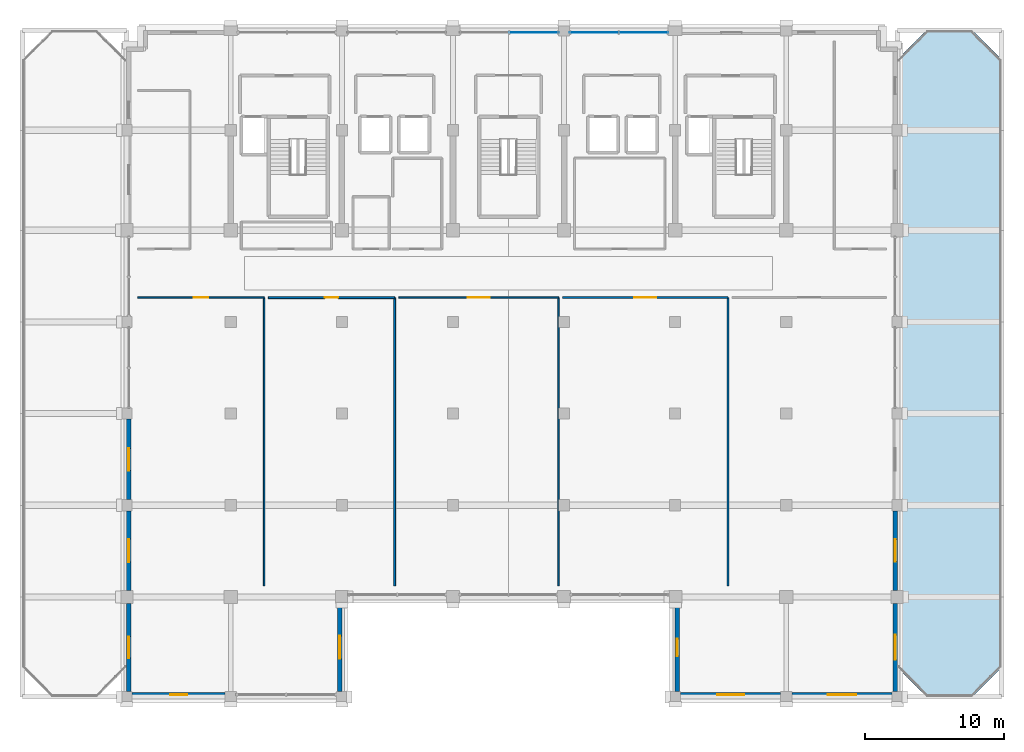
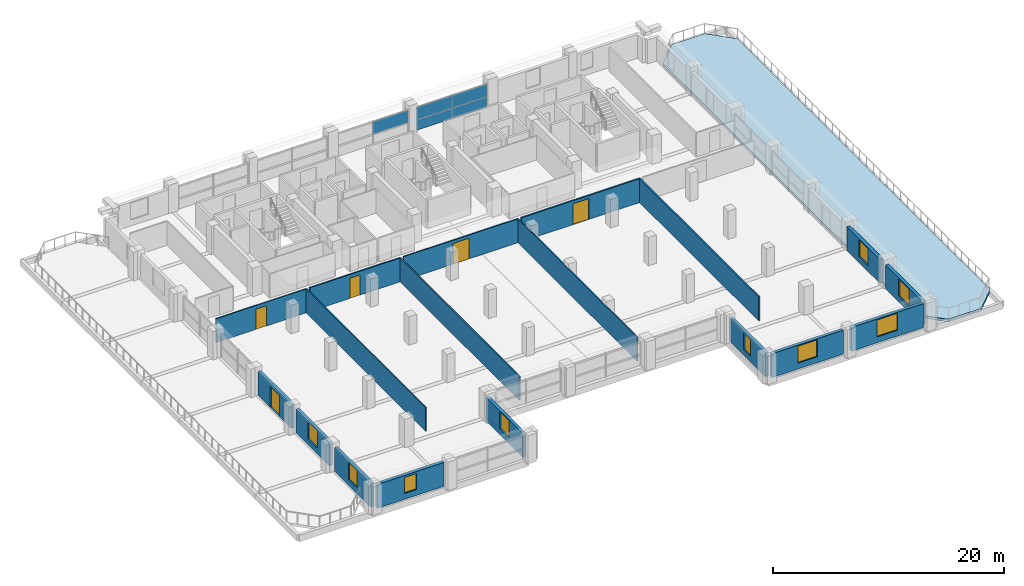
# One storey, part 17 of 22: 18 walls, 9 windows, 5 doors, 4 plates, 1 slab, 14 openings, 2 elements without a shape of their own.
"""IFC4 building model written with IfcOpenShell, lengths in metres."""

from ifc_helpers import new_model, si_unit, direction, frame, frame_2d, origin, origin_2d, place, context, subcontext, project, spatial, polyline, rectangle, outline, extrude, material, layer, layer_set, type_object, element, fill, aggregate, save


model = new_model("IFC4")

# Units and contexts
model_context = context("Model", 3, precision=1e-05, world=origin(), true_north=direction((0.0, 1.0)))
body_context = subcontext(model_context, "Body", "Model", "MODEL_VIEW")
ifc_project = project(units=[si_unit("LENGTHUNIT", "METRE"), si_unit("AREAUNIT", "SQUARE_METRE"), si_unit("VOLUMEUNIT", "CUBIC_METRE"), si_unit("PLANEANGLEUNIT", "RADIAN"), si_unit("MASSUNIT", "GRAM", prefix="KILO")], contexts=[model_context])

# Site, building, storey
site_placement = place(None, origin())
site = spatial("IfcSite", under=ifc_project, at=site_placement, CompositionType="ELEMENT")
building_placement = place(site_placement, origin())
building = spatial("IfcBuilding", under=site, at=building_placement, Name="Akrevak Sports Hall", CompositionType="ELEMENT")
storey_placement = place(building_placement, frame((0.0, 0.0, 40.550048828125)))
storey = spatial("IfcBuildingStorey", under=building, at=storey_placement, Name="L09", CompositionType="ELEMENT", Elevation=40.550048828125)

# Curtain wall, plates
ifc_material_1 = material(Name="Anodized Bronze Aluminium & Low-E Glass", Category="aluminium")
curtain_wall_type = type_object("IfcCurtainWallType", Name="ARC-CW-TWR-68x30", PredefinedType="NOTDEFINED", material=ifc_material_1)
curtain_wall_1_placement = place(storey_placement, origin())
curtain_wall_1 = element("IfcCurtainWall", 1, at=curtain_wall_1_placement, inside=storey, type_object=curtain_wall_type, Name="Curtain Wall CW-L09-N21", PredefinedType="NOTDEFINED")
ifc_material_2 = material(Name="Double Low-E Tempered Glass", Category="glass")
ifc_layer_1 = layer(ifc_material_2, 0.031982421875, Name="Double Low-E Tempered Glass")
ifc_layer_set_1 = layer_set([ifc_layer_1], Name="Double Low-E Tempered Glass")
plate_type_1 = type_object("IfcPlateType", Name="ARC-CWP-GLZ-32", PredefinedType="CURTAIN_PANEL", material=ifc_layer_set_1)
plate_1_placement = place(storey_placement, frame((89.72509765625, 69.43994140625, 1.099853515625), z_axis=(0.0, 0.0, 1.0), x_axis=(-1.0, 0.0, 0.0)))
plate_1 = element("IfcPlate", 2, at=plate_1_placement, type_object=plate_type_1, Name="Vision Glass Panel CW-L09-N21-G1", PredefinedType="CURTAIN_PANEL", context=body_context, shape_type="SweptSolid", body=[
    extrude(rectangle(XDim=3.550048828125, YDim=0.035888671875, at=origin_2d()), origin(), (0.0, 0.0, 1.0), 1.35009765625),
])
plate_2_placement = place(storey_placement, frame((86.175048828125, 69.43994140625, 1.099853515625), z_axis=(0.0, 0.0, 1.0), x_axis=(-1.0, 0.0, 0.0)))
plate_2 = element("IfcPlate", 3, at=plate_2_placement, type_object=plate_type_1, Name="Vision Glass Panel CW-L09-N21-G2", PredefinedType="CURTAIN_PANEL", context=body_context, shape_type="SweptSolid", body=[
    extrude(rectangle(XDim=3.550048828125, YDim=0.035888671875, at=origin_2d()), origin(), (0.0, 0.0, 1.0), 1.35009765625),
])

# Curtain wall, plate
curtain_wall_2_placement = place(storey_placement, origin())
curtain_wall_2 = element("IfcCurtainWall", 4, at=curtain_wall_2_placement, inside=storey, type_object=curtain_wall_type, Name="Curtain Wall CW-L09-N22", PredefinedType="NOTDEFINED")
plate_3_placement = place(storey_placement, frame((81.824951171875, 69.43994140625, 1.099853515625), z_axis=(0.0, 0.0, 1.0), x_axis=(-1.0, 0.0, 0.0)))
plate_3 = element("IfcPlate", 5, at=plate_3_placement, type_object=plate_type_1, Name="Vision Glass Panel CW-L09-N22-G1", PredefinedType="CURTAIN_PANEL", context=body_context, shape_type="SweptSolid", body=[
    extrude(rectangle(XDim=3.550048828125, YDim=0.035888671875, at=origin_2d()), origin(), (0.0, 0.0, 1.0), 1.35009765625),
])
aggregate(curtain_wall_2, [plate_3])

# Plate
ifc_material_3 = material(Name="Insulated Bronze Spandrel Panel", Category="aluminium")
ifc_layer_2 = layer(ifc_material_3, 0.0400390625, Name="Insulated Bronze Spandrel Panel")
ifc_layer_set_2 = layer_set([ifc_layer_2], Name="Insulated Bronze Spandrel Panel")
plate_type_2 = type_object("IfcPlateType", Name="ARC-CWP-SPD-40", PredefinedType="CURTAIN_PANEL", material=ifc_layer_set_2)
plate_4_placement = place(storey_placement, frame((87.949951171875, 69.43994140625, 0.0), z_axis=(0.0, 0.0, 1.0), x_axis=(-1.0, 0.0, 0.0)))
plate_4 = element("IfcPlate", 6, at=plate_4_placement, type_object=plate_type_2, Name="Insulated Spandrel Panel CW-L09-N21-S1", PredefinedType="CURTAIN_PANEL", context=body_context, shape_type="SweptSolid", body=[
    extrude(rectangle(XDim=7.10009765625, YDim=0.0439453125, at=origin_2d()), origin(), (0.0, 0.0, 1.0), 1.10009765625),
])

aggregate(curtain_wall_1, [plate_1, plate_2, plate_4])

# Slab
ifc_material_4 = material(Name="Concrete C40/50", Category="concrete")
ifc_layer_3 = layer(ifc_material_4, 0.27001953125, Name="Concrete C40/50")
ifc_layer_set_3 = layer_set([ifc_layer_3], Name="Concrete C40/50")
slab_type = type_object("IfcSlabType", Name="STR-SLB-TERR-270", PredefinedType="FLOOR", material=ifc_layer_set_3)
slab_placement = place(storey_placement, frame((0.0, 0.0, -0.27001953125)))
element("IfcSlab", 7, at=slab_placement, inside=storey, type_object=slab_type, Name="Mid-Tower East Setback Terrace", PredefinedType="FLOOR", context=body_context, shape_type="SweptSolid", body=[
    extrude(outline(polyline([(113.39990234375, 21.60009765625), (115.5, 23.699951171875), (115.5, 67.5), (113.39990234375, 69.60009765625), (110.10009765625, 69.60009765625), (108.0, 67.5), (108.0, 23.699951171875), (110.10009765625, 21.60009765625), (113.39990234375, 21.60009765625)])), origin(), (0.0, 0.0, 1.0), 0.27001953125),
])

# Wall, opening, window
ifc_material_5 = material(Name="Limestone Ashlar", Category="stone")
ifc_layer_4 = layer(ifc_material_5, 0.070068359375, Name="Limestone Ashlar")
ifc_material_6 = material(Name="Mineral Wool Thermal Insulation", Category="insulation")
ifc_layer_5 = layer(ifc_material_6, 0.090087890625, Name="Mineral Wool Thermal Insulation")
ifc_layer_6 = layer(ifc_material_4, 0.159912109375, Name="Concrete C40/50")
ifc_layer_set_4 = layer_set([ifc_layer_4, ifc_layer_5, ifc_layer_6], Name="Limestone Ashlar / Mineral Wool Thermal Insulation / Concrete C40/50")
wall_type_1 = type_object("IfcWallType", Name="ARC-WL-EXT-320", PredefinedType="SOLIDWALL", material=ifc_layer_set_4)
wall_1_placement = place(storey_placement, frame((52.89990234375, 21.760009765625, 0.0), z_axis=(0.0, 0.0, 1.0), x_axis=(1.0, 0.0, 0.0)))
wall_1 = element("IfcWall", 8, at=wall_1_placement, inside=storey, type_object=wall_type_1, Name="Tower Stone Facade Wall L09-S01", PredefinedType="SOLIDWALL", context=body_context, shape_type="SweptSolid", body=[
    extrude(rectangle(XDim=6.7001953125, YDim=0.320068359375, at=frame_2d((3.35009765625, 0.0))), origin(), (0.0, 0.0, 1.0), 2.530029296875),
])
opening_1_placement = place(wall_1_placement, frame((2.75, 0.0, 0.6201171875)))
opening_1 = element("IfcOpeningElement", 9, at=opening_1_placement, cuts=wall_1, Name="Opening WN-13", PredefinedType="OPENING", context=body_context, shape_type="SweptSolid", body=[
    extrude(rectangle(XDim=1.199951171875, YDim=1.699951171875, at=frame_2d((0.60009765625, 0.85009765625))), frame((0.0, 0.171875, 0.0), z_axis=(0.0, -1.0, 0.0), x_axis=(1.0, 0.0, 0.0)), (0.0, 0.0, 1.0), 0.343994140625),
])
ifc_material_7 = material(Name="Thermally Broken Bronze Frame & Double Low-E Glass", Category="glass")
window_type_1 = type_object("IfcWindowType", Name="ARC-WIN-TW-120x170", PartitioningType="SINGLE_PANEL", PredefinedType="WINDOW", material=ifc_material_7)
window_1_placement = place(opening_1_placement, origin())
window_1 = element("IfcWindow", 10, at=window_1_placement, inside=storey, type_object=window_type_1, Name="Tower Window L09-S01", OverallHeight=1.699951171875, OverallWidth=1.199951171875, PartitioningType="SINGLE_PANEL", PredefinedType="WINDOW", context=body_context, shape_type="SweptSolid", body=[
    extrude(rectangle(XDim=1.199951171875, YDim=1.699951171875, at=frame_2d((0.60009765625, 0.85009765625))), frame((0.0, 0.030029296875, 0.0), z_axis=(0.0, -1.0, 0.0), x_axis=(1.0, 0.0, 0.0)), (0.0, 0.0, 1.0), 0.06005859375),
])
fill(opening_1, window_1)

wall_2_placement = place(storey_placement, frame((67.840087890625, 22.0, 0.0), z_axis=(0.0, 0.0, 1.0), x_axis=(0.0, 1.0, 0.0)))
wall_2 = element("IfcWall", 11, at=wall_2_placement, inside=storey, type_object=wall_type_1, Name="Tower Stone Facade Wall L09-E03", PredefinedType="SOLIDWALL", context=body_context, shape_type="SweptSolid", body=[
    extrude(rectangle(XDim=6.324951171875, YDim=0.320068359375, at=frame_2d((3.16259765625, 0.0))), origin(), (0.0, 0.0, 1.0), 2.530029296875),
])
opening_2_placement = place(wall_2_placement, frame((2.33740234375, 0.0, 0.6201171875)))
opening_2 = element("IfcOpeningElement", 12, at=opening_2_placement, cuts=wall_2, Name="Opening WN-58", PredefinedType="OPENING", context=body_context, shape_type="SweptSolid", body=[
    extrude(rectangle(XDim=1.64990234375, YDim=1.81005859375, at=frame_2d((0.824951171875, 0.905029296875))), frame((0.0, 0.171875, 0.0), z_axis=(0.0, -1.0, 0.0), x_axis=(1.0, 0.0, 0.0)), (0.0, 0.0, 1.0), 0.343994140625),
])
window_type_2 = type_object("IfcWindowType", Name="ARC-WIN-SZ-1650x1810", PartitioningType="SINGLE_PANEL", PredefinedType="WINDOW", material=ifc_material_7)
window_2_placement = place(opening_2_placement, origin())
window_2 = element("IfcWindow", 13, at=window_2_placement, inside=storey, type_object=window_type_2, Name="Tower Window L09-E03", OverallHeight=1.81005859375, OverallWidth=1.64990234375, PartitioningType="SINGLE_PANEL", PredefinedType="WINDOW", context=body_context, shape_type="SweptSolid", body=[
    extrude(rectangle(XDim=1.64990234375, YDim=1.81005859375, at=frame_2d((0.824951171875, 0.905029296875))), frame((0.0, 0.030029296875, 0.0), z_axis=(0.0, -1.0, 0.0), x_axis=(1.0, 0.0, 0.0)), (0.0, 0.0, 1.0), 0.06005859375),
])
fill(opening_2, window_2)

wall_3_placement = place(storey_placement, frame((92.159912109375, 28.324951171875, 0.0), z_axis=(0.0, 0.0, 1.0), x_axis=(0.0, -1.0, 0.0)))
wall_3 = element("IfcWall", 14, at=wall_3_placement, inside=storey, type_object=wall_type_1, Name="Tower Stone Facade Wall L09-W07", PredefinedType="SOLIDWALL", context=body_context, shape_type="SweptSolid", body=[
    extrude(rectangle(XDim=6.324951171875, YDim=0.320068359375, at=frame_2d((3.16259765625, 0.0))), origin(), (0.0, 0.0, 1.0), 2.530029296875),
])
opening_3_placement = place(wall_3_placement, frame((2.53759765625, 0.0, 0.6201171875)))
opening_3 = element("IfcOpeningElement", 15, at=opening_3_placement, cuts=wall_3, Name="Opening WN-20", PredefinedType="OPENING", context=body_context, shape_type="SweptSolid", body=[
    extrude(rectangle(XDim=1.25, YDim=1.75, at=frame_2d((0.625, 0.875))), frame((0.0, 0.171875, 0.0), z_axis=(0.0, -1.0, 0.0), x_axis=(1.0, 0.0, 0.0)), (0.0, 0.0, 1.0), 0.343994140625),
])
window_type_3 = type_object("IfcWindowType", Name="ARC-WIN-TW-125x175", PartitioningType="SINGLE_PANEL", PredefinedType="WINDOW", material=ifc_material_7)
window_3_placement = place(opening_3_placement, origin())
window_3 = element("IfcWindow", 16, at=window_3_placement, inside=storey, type_object=window_type_3, Name="Tower Window L09-W07", OverallHeight=1.75, OverallWidth=1.25, PartitioningType="SINGLE_PANEL", PredefinedType="WINDOW", context=body_context, shape_type="SweptSolid", body=[
    extrude(rectangle(XDim=1.25, YDim=1.75, at=frame_2d((0.625, 0.875))), frame((0.0, 0.030029296875, 0.0), z_axis=(0.0, -1.0, 0.0), x_axis=(1.0, 0.0, 0.0)), (0.0, 0.0, 1.0), 0.06005859375),
])
fill(opening_3, window_3)

wall_4_placement = place(storey_placement, frame((92.39990234375, 21.760009765625, 0.0), z_axis=(0.0, 0.0, 1.0), x_axis=(1.0, 0.0, 0.0)))
wall_4 = element("IfcWall", 17, at=wall_4_placement, inside=storey, type_object=wall_type_1, Name="Tower Stone Facade Wall L09-S08", PredefinedType="SOLIDWALL", context=body_context, shape_type="SweptSolid", body=[
    extrude(rectangle(XDim=7.2001953125, YDim=0.320068359375, at=frame_2d((3.60009765625, 0.0))), origin(), (0.0, 0.0, 1.0), 2.530029296875),
])
opening_4_placement = place(wall_4_placement, frame((2.625, 0.0, 0.6201171875)))
opening_4 = element("IfcOpeningElement", 18, at=opening_4_placement, cuts=wall_4, Name="Opening WN-52", PredefinedType="OPENING", context=body_context, shape_type="SweptSolid", body=[
    extrude(rectangle(XDim=1.949951171875, YDim=1.81005859375, at=frame_2d((0.97509765625, 0.905029296875))), frame((0.0, 0.171875, 0.0), z_axis=(0.0, -1.0, 0.0), x_axis=(1.0, 0.0, 0.0)), (0.0, 0.0, 1.0), 0.343994140625),
])
window_type_4 = type_object("IfcWindowType", Name="ARC-WIN-SZ-1950x1810", PartitioningType="SINGLE_PANEL", PredefinedType="WINDOW", material=ifc_material_7)
window_4_placement = place(opening_4_placement, origin())
window_4 = element("IfcWindow", 19, at=window_4_placement, inside=storey, type_object=window_type_4, Name="Tower Window L09-S08", OverallHeight=1.81005859375, OverallWidth=1.949951171875, PartitioningType="SINGLE_PANEL", PredefinedType="WINDOW", context=body_context, shape_type="SweptSolid", body=[
    extrude(rectangle(XDim=1.949951171875, YDim=1.81005859375, at=frame_2d((0.97509765625, 0.905029296875))), frame((0.0, 0.030029296875, 0.0), z_axis=(0.0, -1.0, 0.0), x_axis=(1.0, 0.0, 0.0)), (0.0, 0.0, 1.0), 0.06005859375),
])
fill(opening_4, window_4)

wall_5_placement = place(storey_placement, frame((100.39990234375, 21.760009765625, 0.0), z_axis=(0.0, 0.0, 1.0), x_axis=(1.0, 0.0, 0.0)))
wall_5 = element("IfcWall", 20, at=wall_5_placement, inside=storey, type_object=wall_type_1, Name="Tower Stone Facade Wall L09-S09", PredefinedType="SOLIDWALL", context=body_context, shape_type="SweptSolid", body=[
    extrude(rectangle(XDim=7.2001953125, YDim=0.320068359375, at=frame_2d((3.60009765625, 0.0))), origin(), (0.0, 0.0, 1.0), 2.530029296875),
])
opening_5_placement = place(wall_5_placement, frame((2.574951171875, 0.0, 0.6201171875)))
opening_5 = element("IfcOpeningElement", 21, at=opening_5_placement, cuts=wall_5, Name="Opening WN-53", PredefinedType="OPENING", context=body_context, shape_type="SweptSolid", body=[
    extrude(rectangle(XDim=2.050048828125, YDim=1.81005859375, at=frame_2d((1.02490234375, 0.905029296875))), frame((0.0, 0.171875, 0.0), z_axis=(0.0, -1.0, 0.0), x_axis=(1.0, 0.0, 0.0)), (0.0, 0.0, 1.0), 0.343994140625),
])
window_type_5 = type_object("IfcWindowType", Name="ARC-WIN-SZ-2050x1810", PartitioningType="SINGLE_PANEL", PredefinedType="WINDOW", material=ifc_material_7)
window_5_placement = place(opening_5_placement, origin())
window_5 = element("IfcWindow", 22, at=window_5_placement, inside=storey, type_object=window_type_5, Name="Tower Window L09-S09", OverallHeight=1.81005859375, OverallWidth=2.050048828125, PartitioningType="SINGLE_PANEL", PredefinedType="WINDOW", context=body_context, shape_type="SweptSolid", body=[
    extrude(rectangle(XDim=2.050048828125, YDim=1.81005859375, at=frame_2d((1.02490234375, 0.905029296875))), frame((0.0, 0.030029296875, 0.0), z_axis=(0.0, -1.0, 0.0), x_axis=(1.0, 0.0, 0.0)), (0.0, 0.0, 1.0), 0.06005859375),
])
fill(opening_5, window_5)

wall_6_placement = place(storey_placement, frame((107.840087890625, 22.0, 0.0), z_axis=(0.0, 0.0, 1.0), x_axis=(0.0, 1.0, 0.0)))
wall_6 = element("IfcWall", 23, at=wall_6_placement, inside=storey, type_object=wall_type_1, Name="Tower Stone Facade Wall L09-E10", PredefinedType="SOLIDWALL", context=body_context, shape_type="SweptSolid", body=[
    extrude(rectangle(XDim=6.324951171875, YDim=0.320068359375, at=frame_2d((3.16259765625, 0.0))), origin(), (0.0, 0.0, 1.0), 2.530029296875),
])
opening_6_placement = place(wall_6_placement, frame((2.262451171875, 0.0, 0.6201171875)))
opening_6 = element("IfcOpeningElement", 24, at=opening_6_placement, cuts=wall_6, Name="Opening WN-54", PredefinedType="OPENING", context=body_context, shape_type="SweptSolid", body=[
    extrude(rectangle(XDim=1.800048828125, YDim=1.81005859375, at=frame_2d((0.89990234375, 0.905029296875))), frame((0.0, 0.171875, 0.0), z_axis=(0.0, -1.0, 0.0), x_axis=(1.0, 0.0, 0.0)), (0.0, 0.0, 1.0), 0.343994140625),
])
window_type_6 = type_object("IfcWindowType", Name="ARC-WIN-SZ-1800x1810", PartitioningType="SINGLE_PANEL", PredefinedType="WINDOW", material=ifc_material_7)
window_6_placement = place(opening_6_placement, origin())
window_6 = element("IfcWindow", 25, at=window_6_placement, inside=storey, type_object=window_type_6, Name="Tower Window L09-E10", OverallHeight=1.81005859375, OverallWidth=1.800048828125, PartitioningType="SINGLE_PANEL", PredefinedType="WINDOW", context=body_context, shape_type="SweptSolid", body=[
    extrude(rectangle(XDim=1.800048828125, YDim=1.81005859375, at=frame_2d((0.89990234375, 0.905029296875))), frame((0.0, 0.030029296875, 0.0), z_axis=(0.0, -1.0, 0.0), x_axis=(1.0, 0.0, 0.0)), (0.0, 0.0, 1.0), 0.06005859375),
])
fill(opening_6, window_6)

wall_7_placement = place(storey_placement, frame((107.840087890625, 29.27490234375, 0.0), z_axis=(0.0, 0.0, 1.0), x_axis=(0.0, 1.0, 0.0)))
wall_7 = element("IfcWall", 26, at=wall_7_placement, inside=storey, type_object=wall_type_1, Name="Tower Stone Facade Wall L09-E11", PredefinedType="SOLIDWALL", context=body_context, shape_type="SweptSolid", body=[
    extrude(rectangle(XDim=5.72509765625, YDim=0.320068359375, at=frame_2d((2.862548828125, 0.0))), origin(), (0.0, 0.0, 1.0), 2.530029296875),
])
opening_7_placement = place(wall_7_placement, frame((2.0625, 0.0, 0.6201171875)))
opening_7 = element("IfcOpeningElement", 27, at=opening_7_placement, cuts=wall_7, Name="Opening WN-57", PredefinedType="OPENING", context=body_context, shape_type="SweptSolid", body=[
    extrude(rectangle(XDim=1.60009765625, YDim=1.81005859375, at=frame_2d((0.800048828125, 0.905029296875))), frame((0.0, 0.171875, 0.0), z_axis=(0.0, -1.0, 0.0), x_axis=(1.0, 0.0, 0.0)), (0.0, 0.0, 1.0), 0.343994140625),
])
window_type_7 = type_object("IfcWindowType", Name="ARC-WIN-SZ-1600x1810", PartitioningType="SINGLE_PANEL", PredefinedType="WINDOW", material=ifc_material_7)
window_7_placement = place(opening_7_placement, origin())
window_7 = element("IfcWindow", 28, at=window_7_placement, inside=storey, type_object=window_type_7, Name="Tower Window L09-E11", OverallHeight=1.81005859375, OverallWidth=1.60009765625, PartitioningType="SINGLE_PANEL", PredefinedType="WINDOW", context=body_context, shape_type="SweptSolid", body=[
    extrude(rectangle(XDim=1.60009765625, YDim=1.81005859375, at=frame_2d((0.800048828125, 0.905029296875))), frame((0.0, 0.030029296875, 0.0), z_axis=(0.0, -1.0, 0.0), x_axis=(1.0, 0.0, 0.0)), (0.0, 0.0, 1.0), 0.06005859375),
])
fill(opening_7, window_7)

# Wall, opening, door
wall_8_placement = place(storey_placement, frame((52.659912109375, 41.60009765625, 0.0), z_axis=(0.0, 0.0, 1.0), x_axis=(0.0, -1.0, 0.0)))
wall_8 = element("IfcWall", 29, at=wall_8_placement, inside=storey, type_object=wall_type_1, Name="Tower Stone Facade Wall L09-W32", PredefinedType="SOLIDWALL", context=body_context, shape_type="SweptSolid", body=[
    extrude(rectangle(XDim=5.800048828125, YDim=0.320068359375, at=frame_2d((2.89990234375, 0.0))), origin(), (0.0, 0.0, 1.0), 2.530029296875),
])
opening_8_placement = place(wall_8_placement, frame((2.10009765625, 0.0, 0.0)))
opening_8 = element("IfcOpeningElement", 30, at=opening_8_placement, cuts=wall_8, Name="Opening TD-02", PredefinedType="OPENING", context=body_context, shape_type="SweptSolid", body=[
    extrude(rectangle(XDim=1.60009765625, YDim=2.199951171875, at=frame_2d((0.800048828125, 1.10009765625))), frame((0.0, 0.171875, 0.0), z_axis=(0.0, -1.0, 0.0), x_axis=(1.0, 0.0, 0.0)), (0.0, 0.0, 1.0), 0.343994140625),
])
ifc_material_8 = material(Name="Anodized Bronze Aluminium & Tempered Glass", Category="aluminium")
door_type_1 = type_object("IfcDoorType", Name="ARC-DR-TERR-160x220", OperationType="DOUBLE_DOOR_SINGLE_SWING", PredefinedType="DOOR", material=ifc_material_8)
door_1_placement = place(opening_8_placement, frame((1.60009765625, 0.0, 0.0), z_axis=(0.0, 0.0, 1.0), x_axis=(-1.0, 0.0, 0.0)))
door_1 = element("IfcDoor", 31, at=door_1_placement, inside=storey, type_object=door_type_1, Name="L09 West Setback Terrace Door TD-05", OperationType="DOUBLE_DOOR_SINGLE_SWING", OverallHeight=2.199951171875, OverallWidth=1.60009765625, PredefinedType="DOOR", context=body_context, shape_type="SweptSolid", body=[
    extrude(rectangle(XDim=1.60009765625, YDim=2.199951171875, at=frame_2d((0.800048828125, 1.10009765625))), frame((0.0, 0.02490234375, 0.0), z_axis=(0.0, -1.0, 0.0), x_axis=(1.0, 0.0, 0.0)), (0.0, 0.0, 1.0), 0.050048828125),
])
fill(opening_8, door_1)

# Wall, opening, window
wall_9_placement = place(storey_placement, frame((52.659912109375, 35.0, 0.0), z_axis=(0.0, 0.0, 1.0), x_axis=(0.0, -1.0, 0.0)))
wall_9 = element("IfcWall", 32, at=wall_9_placement, inside=storey, type_object=wall_type_1, Name="Tower Stone Facade Wall L09-W33", PredefinedType="SOLIDWALL", context=body_context, shape_type="SweptSolid", body=[
    extrude(rectangle(XDim=5.72509765625, YDim=0.320068359375, at=frame_2d((2.862548828125, 0.0))), origin(), (0.0, 0.0, 1.0), 2.530029296875),
])
opening_9_placement = place(wall_9_placement, frame((2.03759765625, 0.0, 0.6201171875)))
opening_9 = element("IfcOpeningElement", 33, at=opening_9_placement, cuts=wall_9, Name="Opening WN-58", PredefinedType="OPENING", context=body_context, shape_type="SweptSolid", body=[
    extrude(rectangle(XDim=1.64990234375, YDim=1.81005859375, at=frame_2d((0.824951171875, 0.905029296875))), frame((0.0, 0.171875, 0.0), z_axis=(0.0, -1.0, 0.0), x_axis=(1.0, 0.0, 0.0)), (0.0, 0.0, 1.0), 0.343994140625),
])
window_8_placement = place(opening_9_placement, origin())
window_8 = element("IfcWindow", 34, at=window_8_placement, inside=storey, type_object=window_type_2, Name="Tower Window L09-W33", OverallHeight=1.81005859375, OverallWidth=1.64990234375, PartitioningType="SINGLE_PANEL", PredefinedType="WINDOW", context=body_context, shape_type="SweptSolid", body=[
    extrude(rectangle(XDim=1.64990234375, YDim=1.81005859375, at=frame_2d((0.824951171875, 0.905029296875))), frame((0.0, 0.030029296875, 0.0), z_axis=(0.0, -1.0, 0.0), x_axis=(1.0, 0.0, 0.0)), (0.0, 0.0, 1.0), 0.06005859375),
])
fill(opening_9, window_8)

wall_10_placement = place(storey_placement, frame((52.659912109375, 28.324951171875, 0.0), z_axis=(0.0, 0.0, 1.0), x_axis=(0.0, -1.0, 0.0)))
wall_10 = element("IfcWall", 35, at=wall_10_placement, inside=storey, type_object=wall_type_1, Name="Tower Stone Facade Wall L09-W34", PredefinedType="SOLIDWALL", context=body_context, shape_type="SweptSolid", body=[
    extrude(rectangle(XDim=6.324951171875, YDim=0.320068359375, at=frame_2d((3.16259765625, 0.0))), origin(), (0.0, 0.0, 1.0), 2.530029296875),
])
opening_10_placement = place(wall_10_placement, frame((2.387451171875, 0.0, 0.6201171875)))
opening_10 = element("IfcOpeningElement", 36, at=opening_10_placement, cuts=wall_10, Name="Opening WN-50", PredefinedType="OPENING", context=body_context, shape_type="SweptSolid", body=[
    extrude(rectangle(XDim=1.550048828125, YDim=1.81005859375, at=frame_2d((0.77490234375, 0.905029296875))), frame((0.0, 0.171875, 0.0), z_axis=(0.0, -1.0, 0.0), x_axis=(1.0, 0.0, 0.0)), (0.0, 0.0, 1.0), 0.343994140625),
])
window_type_8 = type_object("IfcWindowType", Name="ARC-WIN-SZ-1550x1810", PartitioningType="SINGLE_PANEL", PredefinedType="WINDOW", material=ifc_material_7)
window_9_placement = place(opening_10_placement, origin())
window_9 = element("IfcWindow", 37, at=window_9_placement, inside=storey, type_object=window_type_8, Name="Tower Window L09-W34", OverallHeight=1.81005859375, OverallWidth=1.550048828125, PartitioningType="SINGLE_PANEL", PredefinedType="WINDOW", context=body_context, shape_type="SweptSolid", body=[
    extrude(rectangle(XDim=1.550048828125, YDim=1.81005859375, at=frame_2d((0.77490234375, 0.905029296875))), frame((0.0, 0.030029296875, 0.0), z_axis=(0.0, -1.0, 0.0), x_axis=(1.0, 0.0, 0.0)), (0.0, 0.0, 1.0), 0.06005859375),
])
fill(opening_10, window_9)

# Wall, opening, door
ifc_material_9 = material(Name="Sanitary Cubicle Partition", Category="gypsum")
ifc_layer_7 = layer(ifc_material_9, 0.10009765625, Name="Sanitary Cubicle Partition")
ifc_layer_set_5 = layer_set([ifc_layer_7], Name="Sanitary Cubicle Partition")
wall_type_2 = type_object("IfcWallType", Name="ARC-WL-PRT-100", PredefinedType="PARTITIONING", material=ifc_layer_set_5)
wall_11_placement = place(storey_placement, frame((53.300048828125, 50.35009765625, 0.0), z_axis=(0.0, 0.0, 1.0), x_axis=(1.0, 0.0, 0.0)))
wall_11 = element("IfcWall", 38, at=wall_11_placement, inside=storey, type_object=wall_type_2, Name="Interior Partition Anti-Doping Laboratory Reception (L09) (N)", PredefinedType="PARTITIONING", context=body_context, shape_type="SweptSolid", body=[
    extrude(rectangle(XDim=9.099853515625, YDim=0.10009765625, at=frame_2d((4.5498046875, 0.0))), origin(), (0.0, 0.0, 1.0), 2.530029296875),
])
opening_11_placement = place(wall_11_placement, frame((4.02490234375, 0.0, 0.0)))
opening_11 = element("IfcOpeningElement", 39, at=opening_11_placement, cuts=wall_11, Name="Opening ID-05", PredefinedType="OPENING", context=body_context, shape_type="SweptSolid", body=[
    extrude(rectangle(XDim=1.050048828125, YDim=2.14990234375, at=frame_2d((0.52490234375, 1.074951171875))), frame((0.0, 0.06201171875, 0.0), z_axis=(0.0, -1.0, 0.0), x_axis=(1.0, 0.0, 0.0)), (0.0, 0.0, 1.0), 0.1240234375),
])
ifc_material_10 = material(Name="Hardwood Oak Acoustic Leaf", Category="wood")
door_type_2 = type_object("IfcDoorType", Name="ARC-DR-OFF-105x215", OperationType="NOTDEFINED", PredefinedType="DOOR", material=ifc_material_10)
door_2_placement = place(opening_11_placement, frame((1.050048828125, 0.0, 0.0), z_axis=(0.0, 0.0, 1.0), x_axis=(-1.0, 0.0, 0.0)))
door_2 = element("IfcDoor", 40, at=door_2_placement, inside=storey, type_object=door_type_2, Name="Door to Anti-Doping Laboratory Reception (L09)", OperationType="SINGLE_SWING_RIGHT", OverallHeight=2.14990234375, OverallWidth=1.050048828125, PredefinedType="DOOR", context=body_context, shape_type="SweptSolid", body=[
    extrude(rectangle(XDim=1.050048828125, YDim=2.14990234375, at=frame_2d((0.52490234375, 1.074951171875))), frame((0.0, 0.02490234375, 0.0), z_axis=(0.0, -1.0, 0.0), x_axis=(1.0, 0.0, 0.0)), (0.0, 0.0, 1.0), 0.050048828125),
])
fill(opening_11, door_2)

# Wall
wall_12_placement = place(storey_placement, frame((62.39990234375, 29.60009765625, 0.0), z_axis=(0.0, 0.0, 1.0), x_axis=(0.0, 1.0, 0.0)))
element("IfcWall", 41, at=wall_12_placement, inside=storey, type_object=wall_type_2, Name="Interior Partition Anti-Doping Laboratory Reception (L09) (E)", PredefinedType="PARTITIONING", context=body_context, shape_type="SweptSolid", body=[
    extrude(rectangle(XDim=20.75, YDim=0.10009765625, at=frame_2d((10.375, 0.0))), origin(), (0.0, 0.0, 1.0), 2.530029296875),
])

# Wall, opening, door
ifc_material_11 = material(Name="Lightweight Office Partition", Category="gypsum")
ifc_layer_8 = layer(ifc_material_11, 0.110107421875, Name="Lightweight Office Partition")
ifc_layer_set_6 = layer_set([ifc_layer_8], Name="Lightweight Office Partition")
wall_type_3 = type_object("IfcWallType", Name="ARC-WL-PRT-110", PredefinedType="PARTITIONING", material=ifc_layer_set_6)
wall_13_placement = place(storey_placement, frame((72.10009765625, 50.35009765625, 0.0), z_axis=(0.0, 0.0, 1.0), x_axis=(1.0, 0.0, 0.0)))
wall_13 = element("IfcWall", 42, at=wall_13_placement, inside=storey, type_object=wall_type_3, Name="Interior Partition Athletic Performance Analytics Hall (L09) (N)", PredefinedType="PARTITIONING", context=body_context, shape_type="SweptSolid", body=[
    extrude(rectangle(XDim=11.5, YDim=0.110107421875, at=frame_2d((5.75, 0.0))), origin(), (0.0, 0.0, 1.0), 2.530029296875),
])
opening_12_placement = place(wall_13_placement, frame((4.949951171875, 0.0, 0.0)))
opening_12 = element("IfcOpeningElement", 43, at=opening_12_placement, cuts=wall_13, Name="Opening ID-03", PredefinedType="OPENING", context=body_context, shape_type="SweptSolid", body=[
    extrude(rectangle(XDim=1.60009765625, YDim=2.199951171875, at=frame_2d((0.800048828125, 1.10009765625))), frame((0.0, 0.06689453125, 0.0), z_axis=(0.0, -1.0, 0.0), x_axis=(1.0, 0.0, 0.0)), (0.0, 0.0, 1.0), 0.134033203125),
])
ifc_material_12 = material(Name="Hardwood Oak & Safety Glass", Category="wood")
door_type_3 = type_object("IfcDoorType", Name="ARC-DR-HALL-160x220", OperationType="DOUBLE_DOOR_SINGLE_SWING", PredefinedType="DOOR", material=ifc_material_12)
door_3_placement = place(opening_12_placement, origin())
door_3 = element("IfcDoor", 44, at=door_3_placement, inside=storey, type_object=door_type_3, Name="Door to Athletic Performance Analytics Hall (L09)", OperationType="DOUBLE_DOOR_SINGLE_SWING", OverallHeight=2.199951171875, OverallWidth=1.60009765625, PredefinedType="DOOR", context=body_context, shape_type="SweptSolid", body=[
    extrude(rectangle(XDim=1.60009765625, YDim=2.199951171875, at=frame_2d((0.800048828125, 1.10009765625))), frame((0.0, 0.02490234375, 0.0), z_axis=(0.0, -1.0, 0.0), x_axis=(1.0, 0.0, 0.0)), (0.0, 0.0, 1.0), 0.050048828125),
])
fill(opening_12, door_3)

# Wall
wall_14_placement = place(storey_placement, frame((83.60009765625, 29.60009765625, 0.0), z_axis=(0.0, 0.0, 1.0), x_axis=(0.0, 1.0, 0.0)))
element("IfcWall", 45, at=wall_14_placement, inside=storey, type_object=wall_type_3, Name="Interior Partition Athletic Performance Analytics Hall (L09) (E)", PredefinedType="PARTITIONING", context=body_context, shape_type="SweptSolid", body=[
    extrude(rectangle(XDim=20.75, YDim=0.110107421875, at=frame_2d((10.375, 0.0))), origin(), (0.0, 0.0, 1.0), 2.530029296875),
])

# Wall, opening, door
ifc_material_13 = material(Name="Acoustic Metal Stud Partition", Category="gypsum")
ifc_layer_9 = layer(ifc_material_13, 0.1298828125, Name="Acoustic Metal Stud Partition")
ifc_layer_set_7 = layer_set([ifc_layer_9], Name="Acoustic Metal Stud Partition")
wall_type_4 = type_object("IfcWallType", Name="ARC-WL-PRT-130", PredefinedType="PARTITIONING", material=ifc_layer_set_7)
wall_15_placement = place(storey_placement, frame((62.699951171875, 50.35009765625, 0.0), z_axis=(0.0, 0.0, 1.0), x_axis=(1.0, 0.0, 0.0)))
wall_15 = element("IfcWall", 46, at=wall_15_placement, inside=storey, type_object=wall_type_4, Name="Interior Partition Biomechanics Testing Studio (L09) (N)", PredefinedType="PARTITIONING", context=body_context, shape_type="SweptSolid", body=[
    extrude(rectangle(XDim=9.10009765625, YDim=0.1298828125, at=frame_2d((4.550048828125, 0.0))), origin(), (0.0, 0.0, 1.0), 2.530029296875),
])
opening_13_placement = place(wall_15_placement, frame((4.050048828125, 0.0, 0.0)))
opening_13 = element("IfcOpeningElement", 47, at=opening_13_placement, cuts=wall_15, Name="Opening ID-06", PredefinedType="OPENING", context=body_context, shape_type="SweptSolid", body=[
    extrude(rectangle(XDim=1.0, YDim=2.14990234375, at=frame_2d((0.5, 1.074951171875))), frame((0.0, 0.076904296875, 0.0), z_axis=(0.0, -1.0, 0.0), x_axis=(1.0, 0.0, 0.0)), (0.0, 0.0, 1.0), 0.15380859375),
])
door_type_4 = type_object("IfcDoorType", Name="ARC-DR-OFF-100x215", OperationType="NOTDEFINED", PredefinedType="DOOR", material=ifc_material_10)
door_4_placement = place(opening_13_placement, origin())
door_4 = element("IfcDoor", 48, at=door_4_placement, inside=storey, type_object=door_type_4, Name="Door to Biomechanics Testing Studio (L09)", OperationType="SINGLE_SWING_LEFT", OverallHeight=2.14990234375, OverallWidth=1.0, PredefinedType="DOOR", context=body_context, shape_type="SweptSolid", body=[
    extrude(rectangle(XDim=1.0, YDim=2.14990234375, at=frame_2d((0.5, 1.074951171875))), frame((0.0, 0.02490234375, 0.0), z_axis=(0.0, -1.0, 0.0), x_axis=(1.0, 0.0, 0.0)), (0.0, 0.0, 1.0), 0.050048828125),
])
fill(opening_13, door_4)

# Wall
wall_16_placement = place(storey_placement, frame((71.800048828125, 29.60009765625, 0.0), z_axis=(0.0, 0.0, 1.0), x_axis=(0.0, 1.0, 0.0)))
element("IfcWall", 49, at=wall_16_placement, inside=storey, type_object=wall_type_4, Name="Interior Partition Biomechanics Testing Studio (L09) (E)", PredefinedType="PARTITIONING", context=body_context, shape_type="SweptSolid", body=[
    extrude(rectangle(XDim=20.75, YDim=0.1298828125, at=frame_2d((10.375, 0.0))), origin(), (0.0, 0.0, 1.0), 2.530029296875),
])

# Wall, opening, door
ifc_material_14 = material(Name="Double Stud Acoustic Gypsum Partition", Category="gypsum")
ifc_layer_10 = layer(ifc_material_14, 0.14990234375, Name="Double Stud Acoustic Gypsum Partition")
ifc_layer_set_8 = layer_set([ifc_layer_10], Name="Double Stud Acoustic Gypsum Partition")
wall_type_5 = type_object("IfcWallType", Name="ARC-WL-PRT-150", PredefinedType="PARTITIONING", material=ifc_layer_set_8)
wall_17_placement = place(storey_placement, frame((83.89990234375, 50.35009765625, 0.0), z_axis=(0.0, 0.0, 1.0), x_axis=(1.0, 0.0, 0.0)))
wall_17 = element("IfcWall", 50, at=wall_17_placement, inside=storey, type_object=wall_type_5, Name="Interior Partition National Climbing Federation Office (L09) (N)", PredefinedType="PARTITIONING", context=body_context, shape_type="SweptSolid", body=[
    extrude(rectangle(XDim=11.900146484375, YDim=0.14990234375, at=frame_2d((5.9501953125, 0.0))), origin(), (0.0, 0.0, 1.0), 2.530029296875),
])
opening_14_placement = place(wall_17_placement, frame((5.14990234375, 0.0, 0.0)))
opening_14 = element("IfcOpeningElement", 51, at=opening_14_placement, cuts=wall_17, Name="Opening ID-03", PredefinedType="OPENING", context=body_context, shape_type="SweptSolid", body=[
    extrude(rectangle(XDim=1.60009765625, YDim=2.199951171875, at=frame_2d((0.800048828125, 1.10009765625))), frame((0.0, 0.0869140625, 0.0), z_axis=(0.0, -1.0, 0.0), x_axis=(1.0, 0.0, 0.0)), (0.0, 0.0, 1.0), 0.173828125),
])
door_5_placement = place(opening_14_placement, origin())
door_5 = element("IfcDoor", 52, at=door_5_placement, inside=storey, type_object=door_type_3, Name="Door to National Climbing Federation Office (L09)", OperationType="DOUBLE_DOOR_SINGLE_SWING", OverallHeight=2.199951171875, OverallWidth=1.60009765625, PredefinedType="DOOR", context=body_context, shape_type="SweptSolid", body=[
    extrude(rectangle(XDim=1.60009765625, YDim=2.199951171875, at=frame_2d((0.800048828125, 1.10009765625))), frame((0.0, 0.02490234375, 0.0), z_axis=(0.0, -1.0, 0.0), x_axis=(1.0, 0.0, 0.0)), (0.0, 0.0, 1.0), 0.050048828125),
])
fill(opening_14, door_5)

# Wall
wall_18_placement = place(storey_placement, frame((95.800048828125, 29.60009765625, 0.0), z_axis=(0.0, 0.0, 1.0), x_axis=(0.0, 1.0, 0.0)))
element("IfcWall", 53, at=wall_18_placement, inside=storey, type_object=wall_type_5, Name="Interior Partition National Climbing Federation Office (L09) (E)", PredefinedType="PARTITIONING", context=body_context, shape_type="SweptSolid", body=[
    extrude(rectangle(XDim=20.75, YDim=0.14990234375, at=frame_2d((10.375, 0.0))), origin(), (0.0, 0.0, 1.0), 2.530029296875),
])

save(model, "model.ifc")
